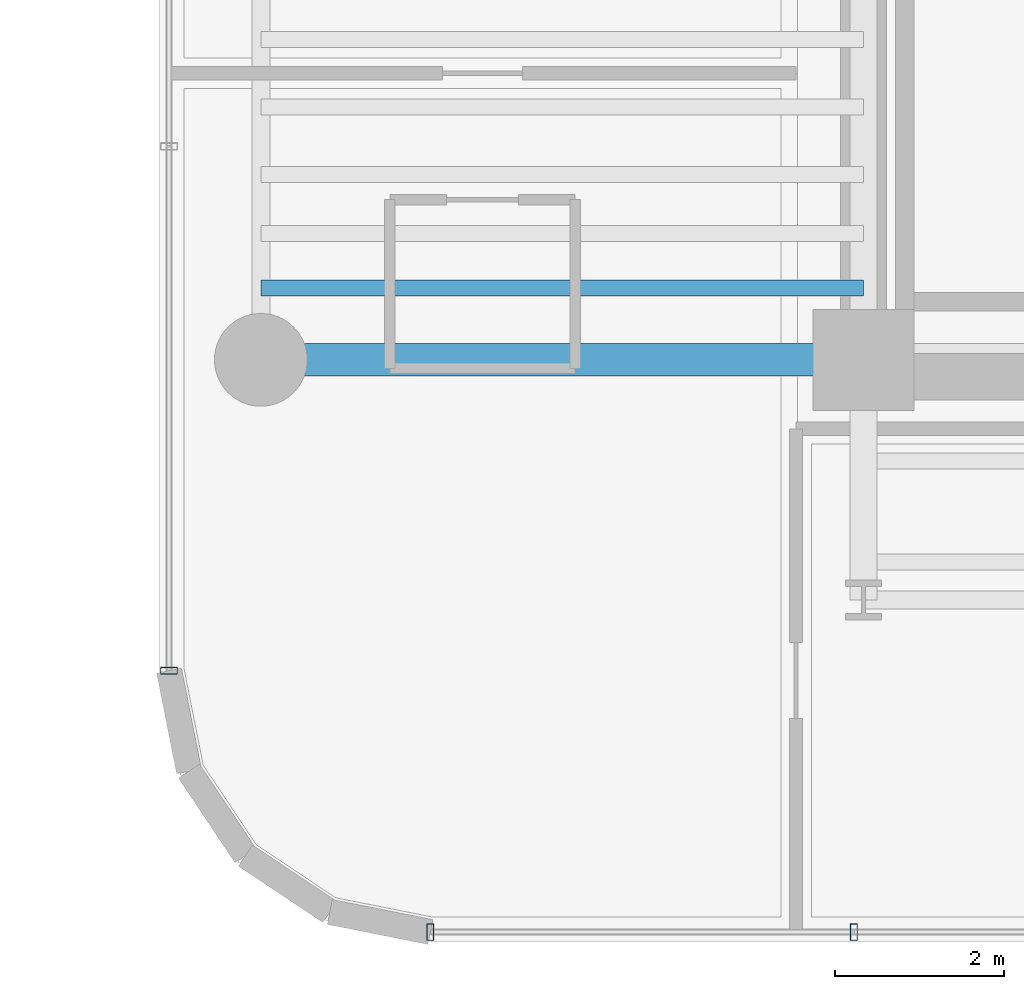
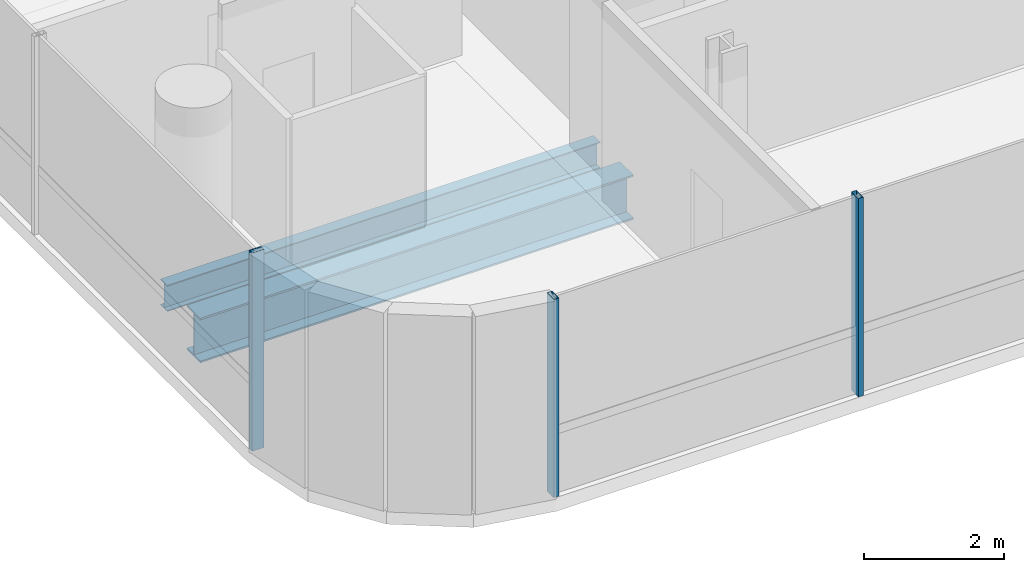
# One storey, part 2 of 36: 3 members, 2 beams, 2 elements without a shape of their own.
"""IFC4 building model written with IfcOpenShell, lengths in metres."""

from ifc_helpers import new_model, si_unit, direction, frame, origin, origin_2d, place, context, subcontext, project, spatial, hollow_rectangle, i_section, extrude, source, transform, mapped, material, material_profile, profile_set, type_object, element, aggregate, save


model = new_model("IFC4")

# Units and contexts
model_context = context("Model", 3, precision=1e-05, world=origin(), true_north=direction((0.0, 1.0)))
body_context = subcontext(model_context, "Body", "Model", "MODEL_VIEW")
ifc_project = project(units=[si_unit("LENGTHUNIT", "METRE"), si_unit("AREAUNIT", "SQUARE_METRE"), si_unit("VOLUMEUNIT", "CUBIC_METRE"), si_unit("PLANEANGLEUNIT", "RADIAN"), si_unit("MASSUNIT", "GRAM", prefix="KILO")], contexts=[model_context])

# Site, building, storey
site_placement = place(None, origin())
site = spatial("IfcSite", under=ifc_project, at=site_placement, CompositionType="ELEMENT")
building_placement = place(site_placement, origin())
building = spatial("IfcBuilding", under=site, at=building_placement, Name="Valdorenza Pilgrim Sanctuary Tower", CompositionType="ELEMENT")
storey_placement = place(building_placement, frame((0.0, 0.0, 153.800048828125)))
storey = spatial("IfcBuildingStorey", under=building, at=storey_placement, Name="L39", CompositionType="ELEMENT", Elevation=153.800048828125)

# Beams
ifc_material_1 = material(Name="Steel ASTM A992 Grade 50", Category="steel")
ifc_material_profile_1 = material_profile(ifc_material_1, i_section(OverallWidth=0.382080078125, OverallDepth=0.779052734375, WebThickness=0.01806640625, FlangeThickness=0.030029296875, at=origin_2d()), Name="W30X191")
ifc_profile_set_1 = profile_set([ifc_material_profile_1], Name="Steel ASTM A992 Grade 50")
beam_type_1 = type_object("IfcBeamType", Name="STR-BM-GRD-W30", PredefinedType="BEAM", material=ifc_profile_set_1)
shared_shape_1 = source(origin(), body_context, "Body", "SweptSolid", [
    extrude(i_section(OverallWidth=0.382080078125, OverallDepth=0.779052734375, WebThickness=0.01806640625, FlangeThickness=0.030029296875, at=origin_2d()), origin(), (0.0, 0.0, 1.0), 7.150146484375),
])
beam_1_placement = place(storey_placement, frame((-29.800048828125, -10.60009765625, -0.629638671875), z_axis=(1.0, 0.0, 0.0), x_axis=(0.0, 1.0, 0.0)))
element("IfcBeam", 1, at=beam_1_placement, inside=storey, type_object=beam_type_1, Name="L39 Floor Girder WA-XW-S1", PredefinedType="BEAM", context=body_context, shape_type="MappedRepresentation", body=[
    mapped(shared_shape_1, transform((0.0, 0.0, 0.0), x_axis=(1.0, 0.0, 0.0), y_axis=(0.0, 1.0, 0.0), z_axis=(0.0, 0.0, 1.0), scale=1.0)),
])
ifc_material_profile_2 = material_profile(ifc_material_1, i_section(OverallWidth=0.19091796875, OverallDepth=0.45703125, WebThickness=0.009033203125, FlangeThickness=0.014404296875, at=origin_2d()), Name="W18X50")
ifc_profile_set_2 = profile_set([ifc_material_profile_2], Name="Steel ASTM A992 Grade 50")
beam_type_2 = type_object("IfcBeamType", Name="STR-BM-JST-W18B", PredefinedType="JOIST", material=ifc_profile_set_2)
shared_shape_2 = source(origin(), body_context, "Body", "SweptSolid", [
    extrude(i_section(OverallWidth=0.19091796875, OverallDepth=0.45703125, WebThickness=0.009033203125, FlangeThickness=0.014404296875, at=origin_2d()), origin(), (0.0, 0.0, 1.0), 7.150146484375),
])
beam_2_placement = place(storey_placement, frame((-29.800048828125, -9.75, -0.468505859375), z_axis=(1.0, 0.0, 0.0), x_axis=(0.0, 1.0, 0.0)))
element("IfcBeam", 2, at=beam_2_placement, inside=storey, type_object=beam_type_2, Name="L39 Composite Floor Joist JST-WA-1", PredefinedType="JOIST", context=body_context, shape_type="MappedRepresentation", body=[
    mapped(shared_shape_2, transform((0.0, 0.0, 0.0), x_axis=(1.0, 0.0, 0.0), y_axis=(0.0, 1.0, 0.0), z_axis=(0.0, 0.0, 1.0), scale=1.0)),
])

# Curtain wall, member
ifc_material_2 = material(Name="Curtain-wall IGU glazing", Category="glass")
curtain_wall_type = type_object("IfcCurtainWallType", Name="CW-SYS-02", PredefinedType="NOTDEFINED", material=ifc_material_2)
curtain_wall_1_placement = place(storey_placement, origin())
curtain_wall_1 = element("IfcCurtainWall", 3, at=curtain_wall_1_placement, inside=storey, type_object=curtain_wall_type, Name="L39 Curtain Wall CW-L39-1-1S1", PredefinedType="NOTDEFINED")
ifc_material_3 = material(Name="Anodised aluminium AW-6060", Category="aluminium")
ifc_material_profile_3 = material_profile(ifc_material_3, hollow_rectangle(XDim=0.0849609375, YDim=0.199951171875, WallThickness=0.0048828125, at=origin_2d()), Name="ALU-M 200x85x5")
ifc_profile_set_3 = profile_set([ifc_material_profile_3], Name="Anodised aluminium AW-6060")
member_type = type_object("IfcMemberType", Name="CW-MUL-02", PredefinedType="MULLION", material=ifc_profile_set_3)
shared_shape_3 = source(origin(), body_context, "Body", "SweptSolid", [
    extrude(hollow_rectangle(XDim=0.0849609375, YDim=0.199951171875, WallThickness=0.0048828125, at=origin_2d()), origin(), (0.0, 0.0, 1.0), 3.4599609375),
])
member_1_placement = place(storey_placement, frame((-30.889892578125, -14.289306640625, 0.0), z_axis=(0.0, 0.0, 1.0), x_axis=(0.0, 1.0, 0.0)))
member_1 = element("IfcMember", 4, at=member_1_placement, type_object=member_type, Name="CW-L39-1-1S1 Mullion 1", PredefinedType="MULLION", context=body_context, shape_type="MappedRepresentation", body=[
    mapped(shared_shape_3, transform((0.0, 0.0, 0.0), x_axis=(1.0, 0.0, 0.0), y_axis=(0.0, 1.0, 0.0), z_axis=(0.0, 0.0, 1.0), scale=1.0)),
])
aggregate(curtain_wall_1, [member_1])

# Curtain wall, members
curtain_wall_2_placement = place(storey_placement, origin())
curtain_wall_2 = element("IfcCurtainWall", 5, at=curtain_wall_2_placement, inside=storey, type_object=curtain_wall_type, Name="L39 Curtain Wall CW-L39-1-26", PredefinedType="NOTDEFINED")
member_2_placement = place(storey_placement, frame((-22.76318359375, -17.389892578125, 0.0), z_axis=(0.0, 0.0, 1.0), x_axis=(-1.0, 0.0, 0.0)))
member_2 = element("IfcMember", 6, at=member_2_placement, type_object=member_type, Name="CW-L39-1-26 Mullion 3", PredefinedType="MULLION", context=body_context, shape_type="MappedRepresentation", body=[
    mapped(shared_shape_3, transform((0.0, 0.0, 0.0), x_axis=(1.0, 0.0, 0.0), y_axis=(0.0, 1.0, 0.0), z_axis=(0.0, 0.0, 1.0), scale=1.0)),
])
member_3_placement = place(storey_placement, frame((-27.789306640625, -17.389892578125, 0.0), z_axis=(0.0, 0.0, 1.0), x_axis=(-1.0, 0.0, 0.0)))
member_3 = element("IfcMember", 7, at=member_3_placement, type_object=member_type, Name="CW-L39-1-26 Mullion 4", PredefinedType="MULLION", context=body_context, shape_type="MappedRepresentation", body=[
    mapped(shared_shape_3, transform((0.0, 0.0, 0.0), x_axis=(1.0, 0.0, 0.0), y_axis=(0.0, 1.0, 0.0), z_axis=(0.0, 0.0, 1.0), scale=1.0)),
])
aggregate(curtain_wall_2, [member_2, member_3])

save(model, "model.ifc")
